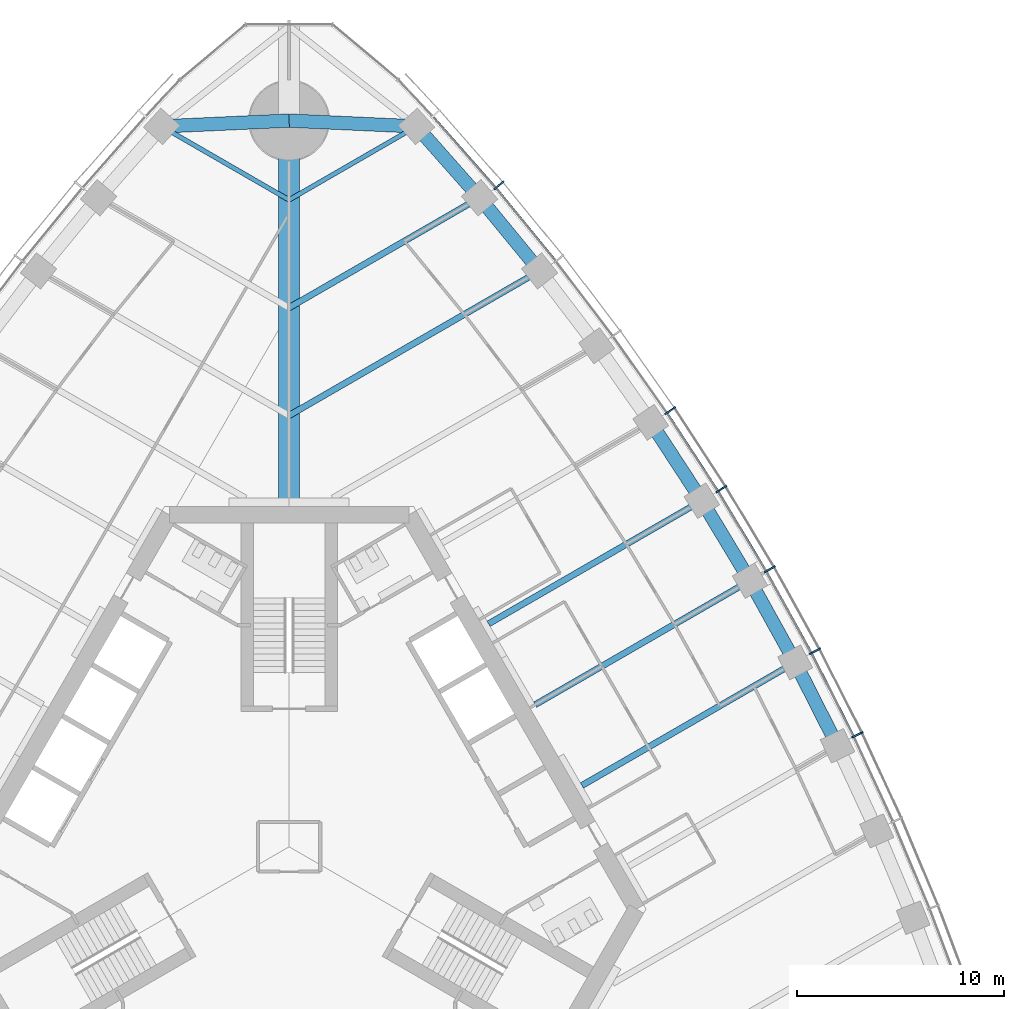
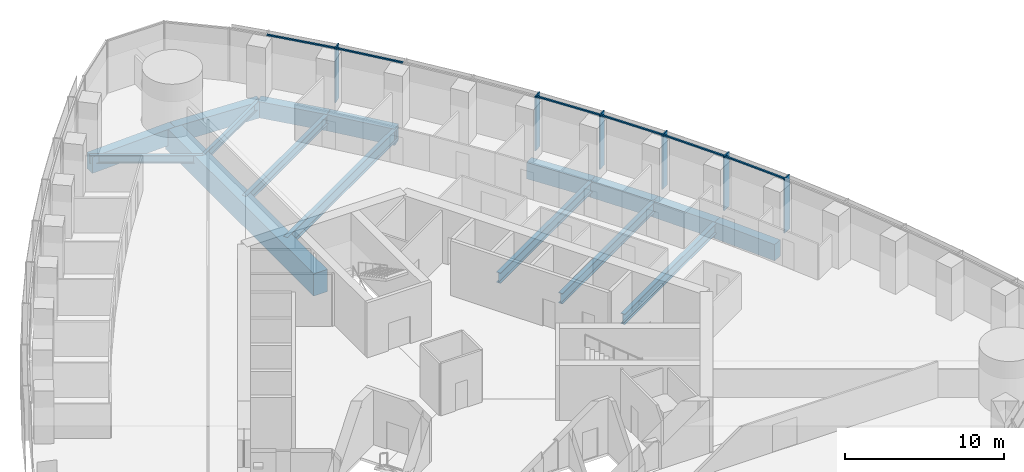
# One storey, part 6 of 21: 16 beams, 12 members, 1 element without a shape of its own.
"""IFC4 building model written with IfcOpenShell, lengths in metres."""

from ifc_helpers import new_model, si_unit, direction, frame, origin, origin_2d, place, context, subcontext, project, spatial, rectangle, i_section, extrude, material, material_profile, profile_set, type_object, element, aggregate, save


model = new_model("IFC4")

# Units and contexts
model_context = context("Model", 3, precision=1e-05, world=origin(), true_north=direction((0.0, 1.0)))
body_context = subcontext(model_context, "Body", "Model", "MODEL_VIEW")
ifc_project = project(units=[si_unit("LENGTHUNIT", "METRE"), si_unit("AREAUNIT", "SQUARE_METRE"), si_unit("VOLUMEUNIT", "CUBIC_METRE"), si_unit("PLANEANGLEUNIT", "RADIAN"), si_unit("MASSUNIT", "GRAM", prefix="KILO")], contexts=[model_context])

# Site, building, storey
site_placement = place(None, origin())
site = spatial("IfcSite", under=ifc_project, at=site_placement, CompositionType="ELEMENT")
building_placement = place(site_placement, origin())
building = spatial("IfcBuilding", under=site, at=building_placement, Name="Trefoil Bronze Tower", CompositionType="ELEMENT")
storey_placement = place(building_placement, frame((0.0, 0.0, 153.5)))
storey = spatial("IfcBuildingStorey", under=building, at=storey_placement, Name="L35", CompositionType="ELEMENT", Elevation=153.5)

# Curtain wall, members
ifc_material_1 = material(Name="Tinted solar-control glass", Category="glass")
curtain_wall_type = type_object("IfcCurtainWallType", Name="Bronze office curtain wall", PredefinedType="USERDEFINED", material=ifc_material_1)
curtain_wall_placement = place(storey_placement, origin())
curtain_wall = element("IfcCurtainWall", 1, at=curtain_wall_placement, inside=storey, type_object=curtain_wall_type, Name="CW-A L35 F2", ObjectType="CURTAIN WALL", PredefinedType="USERDEFINED")
ifc_material_2 = material(Name="Bronze-finish aluminium", Category="aluminium")
ifc_material_profile_1 = material_profile(ifc_material_2, rectangle(XDim=0.60009765625, YDim=0.080078125, at=origin_2d()), Name="CW-A mullion")
ifc_profile_set_1 = profile_set([ifc_material_profile_1], Name="Bronze-finish aluminium")
member_type_1 = type_object("IfcMemberType", Name="Bronze office curtain wall mullion", PredefinedType="MULLION", material=ifc_profile_set_1)
member_1_placement = place(storey_placement, frame((27.394775390625, 5.399169921875, 0.0), z_axis=(0.0, 0.0, 1.0), x_axis=(-0.899819602033, -0.436262173236, 0.0)))
member_1 = element("IfcMember", 2, at=member_1_placement, type_object=member_type_1, Name="CW-A L35 F2 mullion 6", PredefinedType="MULLION", context=body_context, shape_type="SweptSolid", body=[
    extrude(rectangle(XDim=0.60009765625, YDim=0.080078125, at=origin_2d()), origin(), (0.0, 0.0, 1.0), 4.179931640625),
])
member_2_placement = place(storey_placement, frame((25.350830078125, 9.427734375, 0.0), z_axis=(0.0, 0.0, 1.0), x_axis=(-0.883486441467, -0.468456729853, 0.0)))
member_2 = element("IfcMember", 3, at=member_2_placement, type_object=member_type_1, Name="CW-A L35 F2 mullion 7", PredefinedType="MULLION", context=body_context, shape_type="SweptSolid", body=[
    extrude(rectangle(XDim=0.60009765625, YDim=0.080078125, at=origin_2d()), origin(), (0.0, 0.0, 1.0), 4.179931640625),
])
member_3_placement = place(storey_placement, frame((23.166015625, 13.374755859375, 0.0), z_axis=(0.0, 0.0, 1.0), x_axis=(-0.866025403784, -0.5, 0.0)))
member_3 = element("IfcMember", 4, at=member_3_placement, type_object=member_type_1, Name="CW-A L35 F2 mullion 8", PredefinedType="MULLION", context=body_context, shape_type="SweptSolid", body=[
    extrude(rectangle(XDim=0.60009765625, YDim=0.080078125, at=origin_2d()), origin(), (0.0, 0.0, 1.0), 4.179931640625),
])
member_4_placement = place(storey_placement, frame((20.840087890625, 17.24072265625, 0.0), z_axis=(0.0, 0.0, 1.0), x_axis=(-0.84743864936, -0.530893337283, 0.0)))
member_4 = element("IfcMember", 5, at=member_4_placement, type_object=member_type_1, Name="CW-A L35 F2 mullion 9", PredefinedType="MULLION", context=body_context, shape_type="SweptSolid", body=[
    extrude(rectangle(XDim=0.60009765625, YDim=0.080078125, at=origin_2d()), origin(), (0.0, 0.0, 1.0), 4.179931640625),
])
member_5_placement = place(storey_placement, frame((18.373046875, 21.025146484375, 0.0), z_axis=(0.0, 0.0, 1.0), x_axis=(-0.827723925749, -0.561135547566, 0.0)))
member_5 = element("IfcMember", 6, at=member_5_placement, type_object=member_type_1, Name="CW-A L35 F2 mullion 10", PredefinedType="MULLION", context=body_context, shape_type="SweptSolid", body=[
    extrude(rectangle(XDim=0.60009765625, YDim=0.080078125, at=origin_2d()), origin(), (0.0, 0.0, 1.0), 4.179931640625),
])
member_6_placement = place(storey_placement, frame((10.11474609375, 31.8828125, 0.0), z_axis=(0.0, 0.0, 1.0), x_axis=(-0.761721651066, -0.647904411389, 0.0)))
member_6 = element("IfcMember", 7, at=member_6_placement, type_object=member_type_1, Name="CW-A L35 F2 mullion 13", PredefinedType="MULLION", context=body_context, shape_type="SweptSolid", body=[
    extrude(rectangle(XDim=0.60009765625, YDim=0.080078125, at=origin_2d()), origin(), (0.0, 0.0, 1.0), 4.179931640625),
])
ifc_material_3 = material(Name="Bronze-finish aluminium", Category="aluminium")
ifc_material_profile_2 = material_profile(ifc_material_3, rectangle(XDim=0.1201171875, YDim=0.10009765625, at=origin_2d()), Name="CW-A transom")
ifc_profile_set_2 = profile_set([ifc_material_profile_2], Name="Bronze-finish aluminium")
member_type_2 = type_object("IfcMemberType", Name="Bronze office curtain wall transom", PredefinedType="USERDEFINED", material=ifc_profile_set_2)
member_7_placement = place(storey_placement, frame((27.196044921875, 5.34912109375, 4.1298828125), z_axis=(-0.452478489814, 0.891775317138, 0.0), x_axis=(-0.891775317138, -0.452478489814, 0.0)))
member_7 = element("IfcMember", 8, at=member_7_placement, type_object=member_type_2, Name="CW-A L35 F2 transom 6", ObjectType="TRANSOM", PredefinedType="USERDEFINED", context=body_context, shape_type="SweptSolid", body=[
    extrude(rectangle(XDim=0.1201171875, YDim=0.10009765625, at=origin_2d()), origin(), (0.0, 0.0, 1.0), 4.426513671875),
])
member_8_placement = place(storey_placement, frame((25.154052734375, 9.37060546875, 4.1298828125), z_axis=(-0.484329470343, 0.874885686337, 0.0), x_axis=(-0.874885686337, -0.484329470343, 0.0)))
member_8 = element("IfcMember", 9, at=member_8_placement, type_object=member_type_2, Name="CW-A L35 F2 transom 7", ObjectType="TRANSOM", PredefinedType="USERDEFINED", context=body_context, shape_type="SweptSolid", body=[
    extrude(rectangle(XDim=0.1201171875, YDim=0.10009765625, at=origin_2d()), origin(), (0.0, 0.0, 1.0), 4.4208984375),
])
member_9_placement = place(storey_placement, frame((22.97119140625, 13.310546875, 4.1298828125), z_axis=(-0.515526794174, 0.856873458854, 0.0), x_axis=(-0.856873458854, -0.515526794174, 0.0)))
member_9 = element("IfcMember", 10, at=member_9_placement, type_object=member_type_2, Name="CW-A L35 F2 transom 8", ObjectType="TRANSOM", PredefinedType="USERDEFINED", context=body_context, shape_type="SweptSolid", body=[
    extrude(rectangle(XDim=0.1201171875, YDim=0.10009765625, at=origin_2d()), origin(), (0.0, 0.0, 1.0), 4.4208984375),
])
member_10_placement = place(storey_placement, frame((20.647705078125, 17.16943359375, 4.1298828125), z_axis=(-0.546079336226, 0.837733465099, 0.0), x_axis=(-0.837733465099, -0.546079336226, 0.0)))
member_10 = element("IfcMember", 11, at=member_10_placement, type_object=member_type_2, Name="CW-A L35 F2 transom 9", ObjectType="TRANSOM", PredefinedType="USERDEFINED", context=body_context, shape_type="SweptSolid", body=[
    extrude(rectangle(XDim=0.1201171875, YDim=0.10009765625, at=origin_2d()), origin(), (0.0, 0.0, 1.0), 4.426513671875),
])
member_11_placement = place(storey_placement, frame((12.82861328125, 28.255615234375, 4.1298828125), z_axis=(-0.633848872297, 0.773456919995, 0.0), x_axis=(-0.773456919995, -0.633848872297, 0.0)))
member_11 = element("IfcMember", 12, at=member_11_placement, type_object=member_type_2, Name="CW-A L35 F2 transom 12", ObjectType="TRANSOM", PredefinedType="USERDEFINED", context=body_context, shape_type="SweptSolid", body=[
    extrude(rectangle(XDim=0.1201171875, YDim=0.10009765625, at=origin_2d()), origin(), (0.0, 0.0, 1.0), 4.480224609375),
])
member_12_placement = place(storey_placement, frame((9.9345703125, 31.78466796875, 4.1298828125), z_axis=(-0.66173618877, 0.749736764786, 0.0), x_axis=(-0.749736764786, -0.66173618877, 0.0)))
member_12 = element("IfcMember", 13, at=member_12_placement, type_object=member_type_2, Name="CW-A L35 F2 transom 13", ObjectType="TRANSOM", PredefinedType="USERDEFINED", context=body_context, shape_type="SweptSolid", body=[
    extrude(rectangle(XDim=0.1201171875, YDim=0.10009765625, at=origin_2d()), origin(), (0.0, 0.0, 1.0), 4.510986328125),
])
aggregate(curtain_wall, [member_1, member_2, member_3, member_4, member_5, member_6, member_7, member_8, member_9, member_10, member_11, member_12])

# Beams
ifc_material_4 = material(Name="Concrete B80", Category="concrete")
ifc_material_profile_3 = material_profile(ifc_material_4, rectangle(XDim=1.0, YDim=1.699951171875, at=origin_2d()), Name="RC 1000x1700")
ifc_profile_set_3 = profile_set([ifc_material_profile_3], Name="Concrete B80")
beam_type_1 = type_object("IfcBeamType", Name="Corner girder RC 1000x1700", PredefinedType="BEAM", material=ifc_profile_set_3)
beam_1_placement = place(storey_placement, frame((0.0, 16.39990234375, -1.050048828125), z_axis=(0.0, 1.0, 0.0), x_axis=(-1.0, 0.0, 0.0)))
element("IfcBeam", 14, at=beam_1_placement, inside=storey, type_object=beam_type_1, Name="Corner girder K2 L35", PredefinedType="BEAM", context=body_context, shape_type="SweptSolid", body=[
    extrude(rectangle(XDim=1.0, YDim=1.699951171875, at=origin_2d()), origin(), (0.0, 0.0, 1.0), 18.60009765625),
])
ifc_material_5 = material(Name="Concrete B80", Category="concrete")
ifc_material_profile_4 = material_profile(ifc_material_5, rectangle(XDim=0.64990234375, YDim=1.25, at=origin_2d()), Name="RC 650x1250")
ifc_profile_set_4 = profile_set([ifc_material_profile_4], Name="Concrete B80")
beam_type_2 = type_object("IfcBeamType", Name="End spandrel beam RC 650x1250", PredefinedType="SPANDREL", material=ifc_profile_set_4)
for number, where, z_axis, x_axis, name in (
    (15, (6.13916015625, 34.72119140625, -0.824951171875), (-0.998970341464, 0.045368015985, 0.0), (-0.045368015985, -0.998970341464, 0.0), "Spandrel F2.14 L35"),
    (16, (0.0, 35.0, -0.824951171875), (-0.998970341464, -0.045368015985, 0.0), (0.045368015985, -0.998970341464, 0.0), "Spandrel F3.1 L35"),
):
    element("IfcBeam", number, at=place(storey_placement, frame(where, z_axis=z_axis, x_axis=x_axis)), inside=storey, type_object=beam_type_2, Name=name, PredefinedType="SPANDREL", context=body_context, shape_type="SweptSolid", body=[
        extrude(rectangle(XDim=0.64990234375, YDim=1.25, at=origin_2d()), origin(), (0.0, 0.0, 1.0), 6.1455078125),
    ])
ifc_material_6 = material(Name="Steel C355", Category="steel")
ifc_material_profile_5 = material_profile(ifc_material_6, i_section(OverallWidth=0.300048828125, OverallDepth=0.699951171875, WebThickness=0.01708984375, FlangeThickness=0.031982421875, FilletRadius=0.027099609375, at=origin_2d()), Name="HEB 700")
ifc_profile_set_5 = profile_set([ifc_material_profile_5], Name="Steel C355")
beam_type_3 = type_object("IfcBeamType", Name="Floor beam HEB 700", PredefinedType="BEAM", material=ifc_profile_set_5)
beam_2_placement = place(storey_placement, frame((9.181884765625, 31.281982421875, -0.550048828125), z_axis=(-0.866021079084, -0.500007490527, 0.0), x_axis=(0.500007490527, -0.866021079084, 0.0)))
element("IfcBeam", 17, at=beam_2_placement, inside=storey, type_object=beam_type_3, Name="Floor beam F2/+5 L35", PredefinedType="BEAM", context=body_context, shape_type="SweptSolid", body=[
    extrude(i_section(OverallWidth=0.300048828125, OverallDepth=0.699951171875, WebThickness=0.01708984375, FlangeThickness=0.031982421875, FilletRadius=0.027099609375, at=origin_2d()), origin(), (0.0, 0.0, 1.0), 10.602294921875),
])
ifc_material_7 = material(Name="Steel C355", Category="steel")
ifc_material_profile_6 = material_profile(ifc_material_7, i_section(OverallWidth=0.300048828125, OverallDepth=0.800048828125, WebThickness=0.017578125, FlangeThickness=0.032958984375, FilletRadius=0.030029296875, at=origin_2d()), Name="HEB 800")
ifc_profile_set_6 = profile_set([ifc_material_profile_6], Name="Steel C355")
beam_type_4 = type_object("IfcBeamType", Name="Floor beam HEB 800", PredefinedType="BEAM", material=ifc_profile_set_6)
beam_3_placement = place(storey_placement, frame((24.392578125, 8.886962890625, -0.60009765625), z_axis=(-0.866024236736, -0.500002021381, 0.0), x_axis=(0.500002021381, -0.866024236736, 0.0)))
element("IfcBeam", 18, at=beam_3_placement, inside=storey, type_object=beam_type_4, Name="Floor beam F2/-1 L35", PredefinedType="BEAM", context=body_context, shape_type="SweptSolid", body=[
    extrude(i_section(OverallWidth=0.300048828125, OverallDepth=0.800048828125, WebThickness=0.017578125, FlangeThickness=0.032958984375, FilletRadius=0.030029296875, at=origin_2d()), origin(), (0.0, 0.0, 1.0), 11.8681640625),
])
beam_4_placement = place(storey_placement, frame((22.21337890625, 12.824951171875, -0.60009765625), z_axis=(-0.866028062731, -0.499995394541, 0.0), x_axis=(0.499995394541, -0.866028062731, 0.0)))
element("IfcBeam", 19, at=beam_4_placement, inside=storey, type_object=beam_type_4, Name="Floor beam F2/+0 L35", PredefinedType="BEAM", context=body_context, shape_type="SweptSolid", body=[
    extrude(i_section(OverallWidth=0.300048828125, OverallDepth=0.800048828125, WebThickness=0.017578125, FlangeThickness=0.032958984375, FilletRadius=0.030029296875, at=origin_2d()), origin(), (0.0, 0.0, 1.0), 11.94970703125),
])
beam_5_placement = place(storey_placement, frame((19.892578125, 16.68115234375, -0.60009765625), z_axis=(-0.866024236736, -0.500002021381, 0.0), x_axis=(0.500002021381, -0.866024236736, 0.0)))
element("IfcBeam", 20, at=beam_5_placement, inside=storey, type_object=beam_type_4, Name="Floor beam F2/+1 L35", PredefinedType="BEAM", context=body_context, shape_type="SweptSolid", body=[
    extrude(i_section(OverallWidth=0.300048828125, OverallDepth=0.800048828125, WebThickness=0.017578125, FlangeThickness=0.032958984375, FilletRadius=0.030029296875, at=origin_2d()), origin(), (0.0, 0.0, 1.0), 11.8681640625),
])
ifc_material_8 = material(Name="Steel C355", Category="steel")
ifc_material_profile_7 = material_profile(ifc_material_8, i_section(OverallWidth=0.300048828125, OverallDepth=0.89990234375, WebThickness=0.0185546875, FlangeThickness=0.034912109375, FilletRadius=0.030029296875, at=origin_2d()), Name="HEB 900")
ifc_profile_set_7 = profile_set([ifc_material_profile_7], Name="Steel C355")
beam_type_5 = type_object("IfcBeamType", Name="Floor beam HEB 900", PredefinedType="BEAM", material=ifc_profile_set_7)
beam_6_placement = place(storey_placement, frame((12.07666015625, 27.757080078125, -0.64990234375), z_axis=(-0.866026983775, -0.499997263366, 0.0), x_axis=(0.499997263366, -0.866026983775, 0.0)))
element("IfcBeam", 21, at=beam_6_placement, inside=storey, type_object=beam_type_5, Name="Floor beam F2/+4 L35", PredefinedType="BEAM", context=body_context, shape_type="SweptSolid", body=[
    extrude(i_section(OverallWidth=0.300048828125, OverallDepth=0.89990234375, WebThickness=0.0185546875, FlangeThickness=0.034912109375, FilletRadius=0.030029296875, at=origin_2d()), origin(), (0.0, 0.0, 1.0), 13.94482421875),
])
ifc_material_9 = material(Name="Steel C355", Category="steel")
ifc_material_profile_8 = material_profile(ifc_material_9, i_section(OverallWidth=0.219970703125, OverallDepth=0.60009765625, WebThickness=0.011962890625, FlangeThickness=0.01904296875, FilletRadius=0.02392578125, at=origin_2d()), Name="IPE 600")
ifc_profile_set_8 = profile_set([ifc_material_profile_8], Name="Steel C355")
beam_type_6 = type_object("IfcBeamType", Name="Floor beam IPE 600", PredefinedType="BEAM", material=ifc_profile_set_8)
for number, where, z_axis, x_axis, name in (
    (22, (6.13916015625, 34.72119140625, -0.5), (-0.866041060244, -0.499972881236, 0.0), (0.499972881236, -0.866041060244, 0.0), "Floor beam F2/+6 L35"),
    (23, (-6.13916015625, 34.72119140625, -0.5), (0.866041060244, -0.499972881236, 0.0), (0.499972881236, 0.866041060244, 0.0), "Floor beam F3/-6 L35"),
):
    element("IfcBeam", number, at=place(storey_placement, frame(where, z_axis=z_axis, x_axis=x_axis)), inside=storey, type_object=beam_type_6, Name=name, PredefinedType="BEAM", context=body_context, shape_type="SweptSolid", body=[
        extrude(i_section(OverallWidth=0.219970703125, OverallDepth=0.60009765625, WebThickness=0.011962890625, FlangeThickness=0.01904296875, FilletRadius=0.02392578125, at=origin_2d()), origin(), (0.0, 0.0, 1.0), 7.0888671875),
    ])
ifc_material_10 = material(Name="Concrete B80", Category="concrete")
ifc_material_profile_9 = material_profile(ifc_material_10, rectangle(XDim=0.64990234375, YDim=1.25, at=origin_2d()), Name="RC 650x1250")
ifc_profile_set_9 = profile_set([ifc_material_profile_9], Name="Concrete B80")
beam_type_7 = type_object("IfcBeamType", Name="Spandrel beam RC 650x1250", PredefinedType="SPANDREL", material=ifc_profile_set_9)
beam_7_placement = place(storey_placement, frame((26.43017578125, 4.8671875, -0.824951171875), z_axis=(-0.452125717735, 0.891954222683, 0.0), x_axis=(-0.891954222683, -0.452125717735, 0.0)))
element("IfcBeam", 24, at=beam_7_placement, inside=storey, type_object=beam_type_7, Name="Spandrel F2.6 L35", PredefinedType="SPANDREL", context=body_context, shape_type="SweptSolid", body=[
    extrude(rectangle(XDim=0.64990234375, YDim=1.25, at=origin_2d()), origin(), (0.0, 0.0, 1.0), 4.506591796875),
])
for number, where, z_axis, x_axis, name in (
    (25, (24.392578125, 8.886962890625, -0.824951171875), (-0.484186866546, 0.874964615436, 0.0), (-0.874964615436, -0.484186866546, 0.0), "Spandrel F2.7 L35"),
    (26, (22.21337890625, 12.824951171875, -0.824951171875), (-0.515651979972, 0.856798129988, 0.0), (-0.856798129988, -0.515651979972, 0.0), "Spandrel F2.8 L35"),
):
    element("IfcBeam", number, at=place(storey_placement, frame(where, z_axis=z_axis, x_axis=x_axis)), inside=storey, type_object=beam_type_7, Name=name, PredefinedType="SPANDREL", context=body_context, shape_type="SweptSolid", body=[
        extrude(rectangle(XDim=0.64990234375, YDim=1.25, at=origin_2d()), origin(), (0.0, 0.0, 1.0), 4.500732421875),
    ])
beam_8_placement = place(storey_placement, frame((19.892578125, 16.68115234375, -0.824951171875), z_axis=(-0.546396670296, 0.83752652417, 0.0), x_axis=(-0.83752652417, -0.546396670296, 0.0)))
element("IfcBeam", 27, at=beam_8_placement, inside=storey, type_object=beam_type_7, Name="Spandrel F2.9 L35", PredefinedType="SPANDREL", context=body_context, shape_type="SweptSolid", body=[
    extrude(rectangle(XDim=0.64990234375, YDim=1.25, at=origin_2d()), origin(), (0.0, 0.0, 1.0), 4.506591796875),
])
beam_9_placement = place(storey_placement, frame((12.07666015625, 27.757080078125, -0.824951171875), z_axis=(-0.634650386838, 0.772799383079, 0.0), x_axis=(-0.772799383079, -0.634650386838, 0.0)))
element("IfcBeam", 28, at=beam_9_placement, inside=storey, type_object=beam_type_7, Name="Spandrel F2.12 L35", PredefinedType="SPANDREL", context=body_context, shape_type="SweptSolid", body=[
    extrude(rectangle(XDim=0.64990234375, YDim=1.25, at=origin_2d()), origin(), (0.0, 0.0, 1.0), 4.561279296875),
])
beam_10_placement = place(storey_placement, frame((9.181884765625, 31.281982421875, -0.824951171875), z_axis=(-0.662616326239, 0.748959013699, 0.0), x_axis=(-0.748959013699, -0.662616326239, 0.0)))
element("IfcBeam", 29, at=beam_10_placement, inside=storey, type_object=beam_type_7, Name="Spandrel F2.13 L35", PredefinedType="SPANDREL", context=body_context, shape_type="SweptSolid", body=[
    extrude(rectangle(XDim=0.64990234375, YDim=1.25, at=origin_2d()), origin(), (0.0, 0.0, 1.0), 4.592041015625),
])

save(model, "model.ifc")
